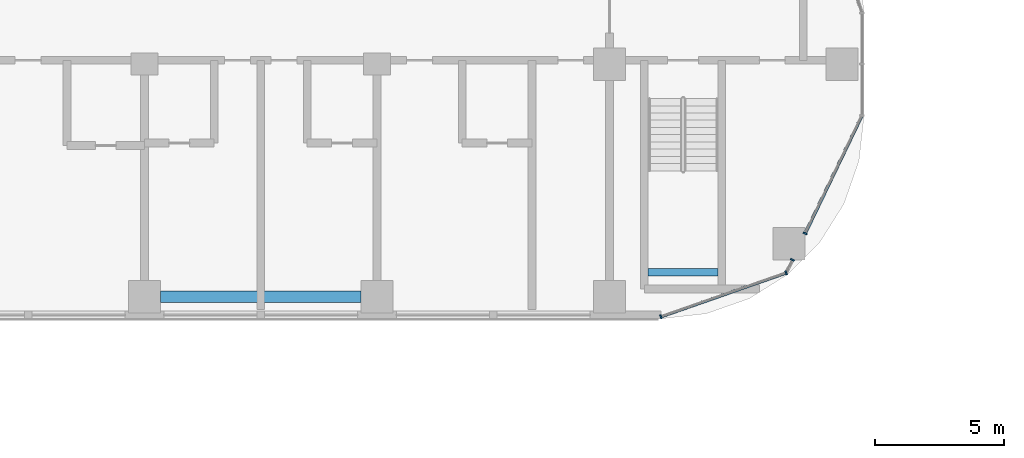
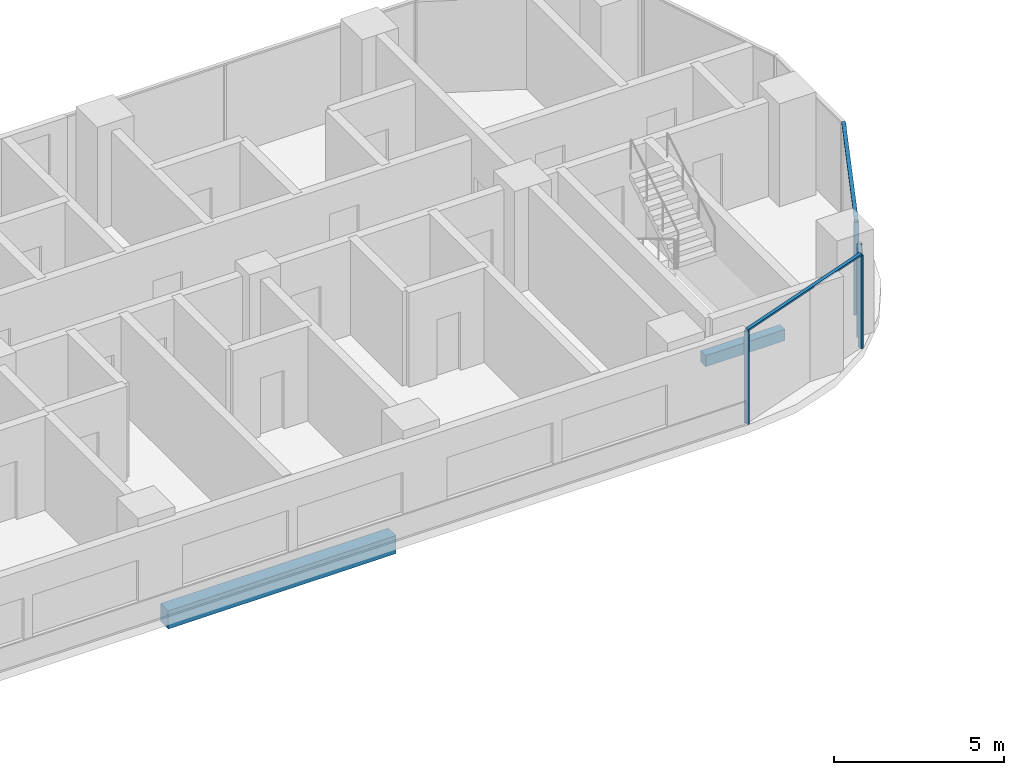
# One storey, part 3 of 35: 6 members, 2 beams, 2 elements without a shape of their own.
"""IFC4 building model written with IfcOpenShell, lengths in metres."""

from ifc_helpers import new_model, si_unit, direction, frame, origin, origin_2d, place, context, subcontext, project, spatial, rectangle, extrude, material, material_profile, profile_set, type_object, element, aggregate, save


model = new_model("IFC4")

# Units and contexts
model_context = context("Model", 3, precision=1e-05, world=origin(), true_north=direction((0.0, 1.0)))
body_context = subcontext(model_context, "Body", "Model", "MODEL_VIEW")
ifc_project = project(units=[si_unit("LENGTHUNIT", "METRE"), si_unit("AREAUNIT", "SQUARE_METRE"), si_unit("VOLUMEUNIT", "CUBIC_METRE"), si_unit("PLANEANGLEUNIT", "RADIAN"), si_unit("MASSUNIT", "GRAM", prefix="KILO")], contexts=[model_context])

# Site, building, storey
site_placement = place(None, origin())
site = spatial("IfcSite", under=ifc_project, at=site_placement, CompositionType="ELEMENT")
building_placement = place(site_placement, origin())
building = spatial("IfcBuilding", under=site, at=building_placement, Name="Ogive Portal Towers", CompositionType="ELEMENT")
storey_placement = place(building_placement, frame((0.0, 0.0, 90.800048828125)))
storey = spatial("IfcBuildingStorey", under=building, at=storey_placement, Name="L21", CompositionType="ELEMENT", Elevation=90.800048828125)

# Beam
ifc_material_1 = material(Name="Concrete C40/50", Category="concrete")
ifc_material_profile_1 = material_profile(ifc_material_1, rectangle(XDim=0.300048828125, YDim=0.39990234375, at=origin_2d()), Name="RC 300x400")
ifc_profile_set_1 = profile_set([ifc_material_profile_1], Name="Concrete C40/50")
beam_type_1 = type_object("IfcBeamType", Name="BEAM RC 300x400", PredefinedType="BEAM", material=ifc_profile_set_1)
beam_1_placement = place(storey_placement, frame((87.0, 22.449951171875, 1.449951171875), z_axis=(1.0, 0.0, 0.0), x_axis=(0.0, 1.0, 0.0)))
element("IfcBeam", 1, at=beam_1_placement, inside=storey, type_object=beam_type_1, Name="Landing beam L21", PredefinedType="BEAM", context=body_context, shape_type="SweptSolid", body=[
    extrude(rectangle(XDim=0.300048828125, YDim=0.39990234375, at=origin_2d()), origin(), (0.0, 0.0, 1.0), 2.699951171875),
])

# Curtain wall, members
ifc_material_2 = material(Name="Glass, clear low-iron insulated glazing", Category="glass")
curtain_wall_type = type_object("IfcCurtainWallType", Name="CW FRONT RIBBON 4500", PredefinedType="NOTDEFINED", material=ifc_material_2)
curtain_wall_1_placement = place(storey_placement, origin())
curtain_wall_1 = element("IfcCurtainWall", 2, at=curtain_wall_1_placement, inside=storey, type_object=curtain_wall_type, Name="A:L21:f06:cwa~0", PredefinedType="NOTDEFINED")
ifc_material_3 = material(Name="Aluminium 6063 anodised", Category="aluminium")
ifc_material_profile_2 = material_profile(ifc_material_3, rectangle(XDim=0.159912109375, YDim=0.06005859375, at=origin_2d()), Name="AL 60x160")
ifc_profile_set_2 = profile_set([ifc_material_profile_2], Name="Aluminium 6063 anodised")
member_type_1 = type_object("IfcMemberType", Name="CW MULLION 60x160", PredefinedType="MULLION", material=ifc_profile_set_2)
member_1_placement = place(storey_placement, frame((87.486328125, 20.72509765625, 0.0), z_axis=(0.0, 0.0, 1.0), x_axis=(-0.33027906196, 0.943883330307, 0.0)))
member_1 = element("IfcMember", 3, at=member_1_placement, type_object=member_type_1, Name="mullion", PredefinedType="MULLION", context=body_context, shape_type="SweptSolid", body=[
    extrude(rectangle(XDim=0.159912109375, YDim=0.06005859375, at=origin_2d()), origin(), (0.0, 0.0, 1.0), 3.33984375),
])
member_2_placement = place(storey_placement, frame((92.33984375, 22.42333984375, 0.0), z_axis=(0.0, 0.0, 1.0), x_axis=(-0.33027906196, 0.943883330307, 0.0)))
member_2 = element("IfcMember", 4, at=member_2_placement, type_object=member_type_1, Name="mullion", PredefinedType="MULLION", context=body_context, shape_type="SweptSolid", body=[
    extrude(rectangle(XDim=0.159912109375, YDim=0.06005859375, at=origin_2d()), origin(), (0.0, 0.0, 1.0), 3.33984375),
])
member_3_placement = place(storey_placement, frame((92.58154296875, 22.925048828125, 0.0), z_axis=(0.0, 0.0, 1.0), x_axis=(-0.900968867905, 0.433883739113, 0.0)))
member_3 = element("IfcMember", 5, at=member_3_placement, type_object=member_type_1, Name="mullion", PredefinedType="MULLION", context=body_context, shape_type="SweptSolid", body=[
    extrude(rectangle(XDim=0.159912109375, YDim=0.06005859375, at=origin_2d()), origin(), (0.0, 0.0, 1.0), 3.33984375),
])

# Curtain wall, member
curtain_wall_2_placement = place(storey_placement, origin())
curtain_wall_2 = element("IfcCurtainWall", 6, at=curtain_wall_2_placement, inside=storey, type_object=curtain_wall_type, Name="A:L21:f06:cwa~1", PredefinedType="NOTDEFINED")
member_4_placement = place(storey_placement, frame((93.074951171875, 23.949951171875, 0.0), z_axis=(0.0, 0.0, 1.0), x_axis=(-0.900968867905, 0.433883739113, 0.0)))
member_4 = element("IfcMember", 7, at=member_4_placement, type_object=member_type_1, Name="mullion", PredefinedType="MULLION", context=body_context, shape_type="SweptSolid", body=[
    extrude(rectangle(XDim=0.159912109375, YDim=0.06005859375, at=origin_2d()), origin(), (0.0, 0.0, 1.0), 3.33984375),
])

# Member
ifc_material_profile_3 = material_profile(ifc_material_3, rectangle(XDim=0.1201171875, YDim=0.06005859375, at=origin_2d()), Name="AL 120x60")
ifc_profile_set_3 = profile_set([ifc_material_profile_3], Name="Aluminium 6063 anodised")
member_type_2 = type_object("IfcMemberType", Name="CW TRANSOM 60x120", PredefinedType="USERDEFINED", material=ifc_profile_set_3)
member_5_placement = place(storey_placement, frame((87.486328125, 20.72509765625, 3.369873046875), z_axis=(0.943887961031, 0.330265827813, 0.0), x_axis=(-0.330265827813, 0.943887961031, 0.0)))
member_5 = element("IfcMember", 8, at=member_5_placement, type_object=member_type_2, Name="transom", ObjectType="TRANSOM", PredefinedType="USERDEFINED", context=body_context, shape_type="SweptSolid", body=[
    extrude(rectangle(XDim=0.1201171875, YDim=0.06005859375, at=origin_2d()), origin(), (0.0, 0.0, 1.0), 5.14208984375),
])

aggregate(curtain_wall_1, [member_5, member_1, member_2, member_3])

member_6_placement = place(storey_placement, frame((93.074951171875, 23.949951171875, 3.369873046875), z_axis=(0.433874973595, 0.900973089103, 0.0), x_axis=(-0.900973089103, 0.433874973595, 0.0)))
member_6 = element("IfcMember", 9, at=member_6_placement, type_object=member_type_2, Name="transom", ObjectType="TRANSOM", PredefinedType="USERDEFINED", context=body_context, shape_type="SweptSolid", body=[
    extrude(rectangle(XDim=0.1201171875, YDim=0.06005859375, at=origin_2d()), origin(), (0.0, 0.0, 1.0), 5.070556640625),
])

aggregate(curtain_wall_2, [member_6, member_4])

# Beam
ifc_material_4 = material(Name="Concrete C50/60", Category="concrete")
ifc_material_profile_4 = material_profile(ifc_material_4, rectangle(XDim=0.449951171875, YDim=0.64990234375, at=origin_2d()), Name="RC 450x650")
ifc_profile_set_4 = profile_set([ifc_material_profile_4], Name="Concrete C50/60")
beam_type_2 = type_object("IfcBeamType", Name="SPANDREL BEAM RC 450x650", PredefinedType="BEAM", material=ifc_profile_set_4)
beam_2_placement = place(storey_placement, frame((75.875, 21.5, -0.625), z_axis=(-1.0, 0.0, 0.0), x_axis=(0.0, -1.0, 0.0)))
element("IfcBeam", 10, at=beam_2_placement, inside=storey, type_object=beam_type_2, Name="Spandrel beam L21", PredefinedType="BEAM", context=body_context, shape_type="SweptSolid", body=[
    extrude(rectangle(XDim=0.449951171875, YDim=0.64990234375, at=origin_2d()), origin(), (0.0, 0.0, 1.0), 7.75),
])

save(model, "model.ifc")
